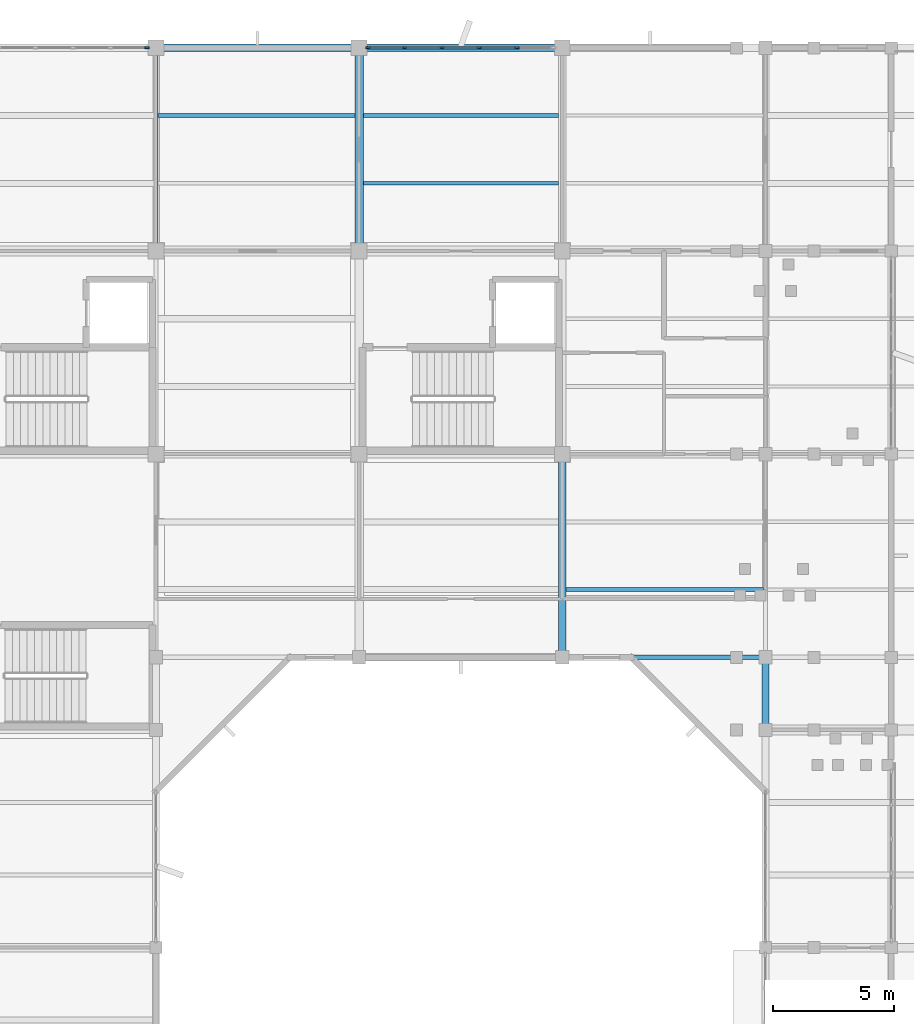
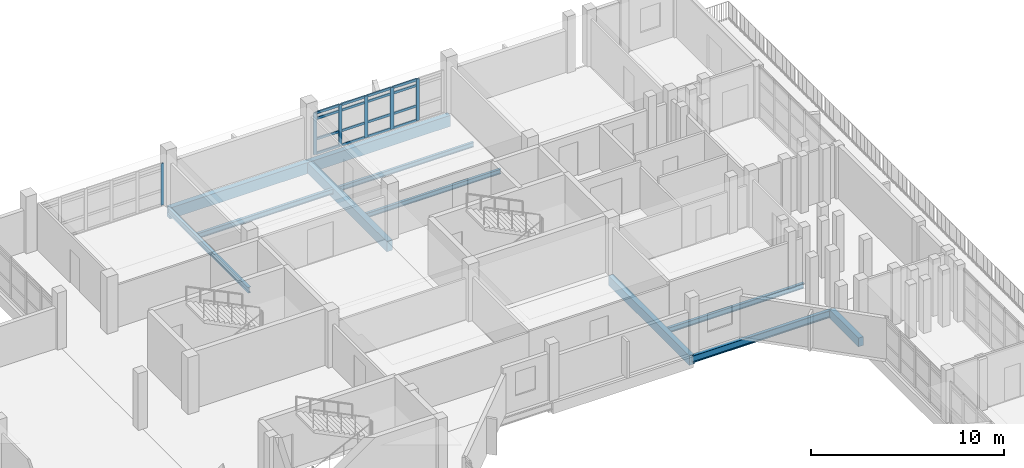
# One storey, part 21 of 51: 22 members, 11 beams, 2 elements without a shape of their own.
"""IFC4 building model written with IfcOpenShell, lengths in metres."""

from ifc_helpers import new_model, si_unit, direction, frame, origin, origin_2d, place, context, subcontext, project, spatial, rectangle, i_section, extrude, material, material_profile, profile_set, type_object, element, aggregate, save


model = new_model("IFC4")

# Units and contexts
model_context = context("Model", 3, precision=1e-05, world=origin(), true_north=direction((0.0, 1.0)))
body_context = subcontext(model_context, "Body", "Model", "MODEL_VIEW")
ifc_project = project(units=[si_unit("LENGTHUNIT", "METRE"), si_unit("AREAUNIT", "SQUARE_METRE"), si_unit("VOLUMEUNIT", "CUBIC_METRE"), si_unit("PLANEANGLEUNIT", "RADIAN"), si_unit("MASSUNIT", "GRAM", prefix="KILO")], contexts=[model_context])

# Site, building, storey
site_placement = place(None, origin())
site = spatial("IfcSite", under=ifc_project, at=site_placement, CompositionType="ELEMENT")
building_placement = place(site_placement, origin())
building = spatial("IfcBuilding", under=site, at=building_placement, Name="Vanh Quang Courtyard School", CompositionType="ELEMENT")
storey_placement = place(building_placement, frame((0.0, 0.0, 11.39990234375)))
storey = spatial("IfcBuildingStorey", under=building, at=storey_placement, Name="L03", CompositionType="ELEMENT", Elevation=11.39990234375)

# Beams
ifc_material_1 = material(Name="Concrete C35/45", Category="concrete")
ifc_material_profile_1 = material_profile(ifc_material_1, rectangle(XDim=0.300048828125, YDim=0.550048828125, at=origin_2d()), Name="RC-BM 300x550")
ifc_profile_set_1 = profile_set([ifc_material_profile_1], Name="Concrete C35/45")
beam_type_1 = type_object("IfcBeamType", Name="BM-RC-300x550", PredefinedType="BEAM", material=ifc_profile_set_1)
beam_1_placement = place(storey_placement, frame((111.0, 68.39990234375, -0.534912109375), z_axis=(0.0, 1.0, 0.0), x_axis=(-1.0, 0.0, 0.0)))
element("IfcBeam", 1, at=beam_1_placement, inside=storey, type_object=beam_type_1, Name="Beam B-07 (L03)", PredefinedType="BEAM", context=body_context, shape_type="SweptSolid", body=[
    extrude(rectangle(XDim=0.300048828125, YDim=0.550048828125, at=origin_2d()), origin(), (0.0, 0.0, 1.0), 3.0),
])
ifc_material_profile_2 = material_profile(ifc_material_1, rectangle(XDim=0.300048828125, YDim=0.60009765625, at=origin_2d()), Name="RC-BM 300x600")
ifc_profile_set_2 = profile_set([ifc_material_profile_2], Name="Concrete C35/45")
beam_type_2 = type_object("IfcBeamType", Name="BM-RC-300x600", PredefinedType="BEAM", material=ifc_profile_set_2)
beam_2_placement = place(storey_placement, frame((102.60009765625, 71.39990234375, -0.559814453125), z_axis=(0.0, 1.0, 0.0), x_axis=(-1.0, 0.0, 0.0)))
element("IfcBeam", 2, at=beam_2_placement, inside=storey, type_object=beam_type_2, Name="Beam B-06 (L03)", PredefinedType="BEAM", context=body_context, shape_type="SweptSolid", body=[
    extrude(rectangle(XDim=0.300048828125, YDim=0.60009765625, at=origin_2d()), origin(), (0.0, 0.0, 1.0), 8.400146484375),
])
ifc_material_profile_3 = material_profile(ifc_material_1, rectangle(XDim=0.35009765625, YDim=0.64990234375, at=origin_2d()), Name="RC-BM 350x650")
ifc_profile_set_3 = profile_set([ifc_material_profile_3], Name="Concrete C35/45")
beam_type_3 = type_object("IfcBeamType", Name="BM-RC-350x650", PredefinedType="BEAM", material=ifc_profile_set_3)
beam_3_placement = place(storey_placement, frame((94.199951171875, 88.199951171875, -0.5849609375), z_axis=(0.0, 1.0, 0.0), x_axis=(-1.0, 0.0, 0.0)))
element("IfcBeam", 3, at=beam_3_placement, inside=storey, type_object=beam_type_3, Name="Beam B-05 (L03)", PredefinedType="BEAM", context=body_context, shape_type="SweptSolid", body=[
    extrude(rectangle(XDim=0.35009765625, YDim=0.64990234375, at=origin_2d()), origin(), (0.0, 0.0, 1.0), 8.400146484375),
])
ifc_material_profile_4 = material_profile(ifc_material_1, rectangle(XDim=0.300048828125, YDim=0.699951171875, at=origin_2d()), Name="RC-SP 300x700")
ifc_profile_set_4 = profile_set([ifc_material_profile_4], Name="Concrete C35/45")
beam_type_4 = type_object("IfcBeamType", Name="BM-SP-300x700", PredefinedType="SPANDREL", material=ifc_profile_set_4)
beam_4_placement = place(storey_placement, frame((85.800048828125, 96.60009765625, -0.60986328125), z_axis=(1.0, 0.0, 0.0), x_axis=(0.0, 1.0, 0.0)))
element("IfcBeam", 4, at=beam_4_placement, inside=storey, type_object=beam_type_4, Name="Beam BS-01 (L03)", PredefinedType="SPANDREL", context=body_context, shape_type="SweptSolid", body=[
    extrude(rectangle(XDim=0.300048828125, YDim=0.699951171875, at=origin_2d()), origin(), (0.0, 0.0, 1.0), 8.39990234375),
])
beam_5_placement = place(storey_placement, frame((94.199951171875, 96.60009765625, -0.60986328125), z_axis=(1.0, 0.0, 0.0), x_axis=(0.0, 1.0, 0.0)))
element("IfcBeam", 5, at=beam_5_placement, inside=storey, type_object=beam_type_4, Name="Beam BS-01 (L03)", PredefinedType="SPANDREL", context=body_context, shape_type="SweptSolid", body=[
    extrude(rectangle(XDim=0.300048828125, YDim=0.699951171875, at=origin_2d()), origin(), (0.0, 0.0, 1.0), 8.400146484375),
])
ifc_material_2 = material(Name="Structural steel EN 10025-2 S355J2", Category="steel")
ifc_material_profile_5 = material_profile(ifc_material_2, i_section(OverallWidth=0.169921875, OverallDepth=0.360107421875, WebThickness=0.008056640625, FlangeThickness=0.0126953125, FilletRadius=0.01806640625, at=origin_2d()), Name="IPE 360")
ifc_profile_set_5 = profile_set([ifc_material_profile_5], Name="Structural steel EN 10025-2 S355J2")
beam_type_5 = type_object("IfcBeamType", Name="BM-STL-IPE360", PredefinedType="BEAM", material=ifc_profile_set_5)
beam_6_placement = place(storey_placement, frame((85.800048828125, 88.199951171875, -0.43994140625), z_axis=(0.0, 1.0, 0.0), x_axis=(-1.0, 0.0, 0.0)))
element("IfcBeam", 6, at=beam_6_placement, inside=storey, type_object=beam_type_5, Name="Beam SB-06 (L03)", PredefinedType="BEAM", context=body_context, shape_type="SweptSolid", body=[
    extrude(i_section(OverallWidth=0.169921875, OverallDepth=0.360107421875, WebThickness=0.008056640625, FlangeThickness=0.0126953125, FilletRadius=0.01806640625, at=origin_2d()), origin(), (0.0, 0.0, 1.0), 8.400146484375),
])
ifc_material_profile_6 = material_profile(ifc_material_2, i_section(OverallWidth=0.18994140625, OverallDepth=0.449951171875, WebThickness=0.009521484375, FlangeThickness=0.0146484375, FilletRadius=0.02099609375, at=origin_2d()), Name="IPE 450")
ifc_profile_set_6 = profile_set([ifc_material_profile_6], Name="Structural steel EN 10025-2 S355J2")
beam_type_6 = type_object("IfcBeamType", Name="BM-STL-IPE450", PredefinedType="BEAM", material=ifc_profile_set_6)
beam_7_placement = place(storey_placement, frame((102.60009765625, 71.39990234375, -0.48486328125), z_axis=(1.0, 0.0, 0.0), x_axis=(0.0, 1.0, 0.0)))
element("IfcBeam", 7, at=beam_7_placement, inside=storey, type_object=beam_type_6, Name="Beam SB-04 (L03)", PredefinedType="BEAM", context=body_context, shape_type="SweptSolid", body=[
    extrude(i_section(OverallWidth=0.18994140625, OverallDepth=0.449951171875, WebThickness=0.009521484375, FlangeThickness=0.0146484375, FilletRadius=0.02099609375, at=origin_2d()), origin(), (0.0, 0.0, 1.0), 8.39990234375),
])

# Curtain wall, member
ifc_material_3 = material(Name="Thermally broken aluminium unitised curtain wall", Category="aluminium")
curtain_wall_type = type_object("IfcCurtainWallType", Name="CW-SYS-21", PredefinedType="NOTDEFINED", material=ifc_material_3)
curtain_wall_1_placement = place(storey_placement, origin())
curtain_wall_1 = element("IfcCurtainWall", 8, at=curtain_wall_1_placement, inside=storey, type_object=curtain_wall_type, Name="Curtain Wall CW-21 (L03)", PredefinedType="NOTDEFINED")
ifc_material_4 = material(Name="Anodised aluminium 6063-T6", Category="aluminium")
ifc_material_profile_7 = material_profile(ifc_material_4, rectangle(XDim=0.070068359375, YDim=0.179931640625, at=origin_2d()), Name="ALU-MUL 70x180")
ifc_profile_set_7 = profile_set([ifc_material_profile_7], Name="Anodised aluminium 6063-T6")
member_type_1 = type_object("IfcMemberType", Name="CW-MUL-70x180", PredefinedType="MULLION", material=ifc_profile_set_7)
member_1_placement = place(storey_placement, frame((85.431884765625, 96.60009765625, 0.0), z_axis=(0.0, 0.0, 1.0), x_axis=(0.0, 1.0, 0.0)))
member_1 = element("IfcMember", 9, at=member_1_placement, type_object=member_type_1, Name="CW-21 mullion 6", PredefinedType="MULLION", context=body_context, shape_type="SweptSolid", body=[
    extrude(rectangle(XDim=0.070068359375, YDim=0.179931640625, at=origin_2d()), origin(), (0.0, 0.0, 1.0), 2.64013671875),
])
aggregate(curtain_wall_1, [member_1])

# Curtain wall, members
curtain_wall_2_placement = place(storey_placement, origin())
curtain_wall_2 = element("IfcCurtainWall", 10, at=curtain_wall_2_placement, inside=storey, type_object=curtain_wall_type, Name="Curtain Wall CW-21 (L03)", PredefinedType="NOTDEFINED")
ifc_material_profile_8 = material_profile(ifc_material_4, rectangle(XDim=0.080078125, YDim=0.199951171875, at=origin_2d()), Name="ALU-MUL 80x200")
ifc_profile_set_8 = profile_set([ifc_material_profile_8], Name="Anodised aluminium 6063-T6")
member_type_2 = type_object("IfcMemberType", Name="CW-MUL-80x200", PredefinedType="MULLION", material=ifc_profile_set_8)
member_2_placement = place(storey_placement, frame((94.572998046875, 96.60009765625, 0.0), z_axis=(0.0, 0.0, 1.0), x_axis=(0.0, 1.0, 0.0)))
member_2 = element("IfcMember", 11, at=member_2_placement, type_object=member_type_2, Name="CW-21 mullion 1", PredefinedType="MULLION", context=body_context, shape_type="SweptSolid", body=[
    extrude(rectangle(XDim=0.080078125, YDim=0.199951171875, at=origin_2d()), origin(), (0.0, 0.0, 1.0), 2.64013671875),
])
member_3_placement = place(storey_placement, frame((96.079833984375, 96.60009765625, 0.0), z_axis=(0.0, 0.0, 1.0), x_axis=(0.0, 1.0, 0.0)))
member_3 = element("IfcMember", 12, at=member_3_placement, type_object=member_type_2, Name="CW-21 mullion 2", PredefinedType="MULLION", context=body_context, shape_type="SweptSolid", body=[
    extrude(rectangle(XDim=0.080078125, YDim=0.199951171875, at=origin_2d()), origin(), (0.0, 0.0, 1.0), 2.64013671875),
])
member_4_placement = place(storey_placement, frame((97.626708984375, 96.60009765625, 0.0), z_axis=(0.0, 0.0, 1.0), x_axis=(0.0, 1.0, 0.0)))
member_4 = element("IfcMember", 13, at=member_4_placement, type_object=member_type_2, Name="CW-21 mullion 3", PredefinedType="MULLION", context=body_context, shape_type="SweptSolid", body=[
    extrude(rectangle(XDim=0.080078125, YDim=0.199951171875, at=origin_2d()), origin(), (0.0, 0.0, 1.0), 2.64013671875),
])
member_5_placement = place(storey_placement, frame((99.17333984375, 96.60009765625, 0.0), z_axis=(0.0, 0.0, 1.0), x_axis=(0.0, 1.0, 0.0)))
member_5 = element("IfcMember", 14, at=member_5_placement, type_object=member_type_2, Name="CW-21 mullion 4", PredefinedType="MULLION", context=body_context, shape_type="SweptSolid", body=[
    extrude(rectangle(XDim=0.080078125, YDim=0.199951171875, at=origin_2d()), origin(), (0.0, 0.0, 1.0), 2.64013671875),
])
member_6_placement = place(storey_placement, frame((100.72021484375, 96.60009765625, 0.0), z_axis=(0.0, 0.0, 1.0), x_axis=(0.0, 1.0, 0.0)))
member_6 = element("IfcMember", 15, at=member_6_placement, type_object=member_type_2, Name="CW-21 mullion 5", PredefinedType="MULLION", context=body_context, shape_type="SweptSolid", body=[
    extrude(rectangle(XDim=0.080078125, YDim=0.199951171875, at=origin_2d()), origin(), (0.0, 0.0, 1.0), 2.64013671875),
])
ifc_material_profile_9 = material_profile(ifc_material_4, rectangle(XDim=0.080078125, YDim=0.14990234375, at=origin_2d()), Name="ALU-TRN 80x150")
ifc_profile_set_9 = profile_set([ifc_material_profile_9], Name="Anodised aluminium 6063-T6")
member_type_3 = type_object("IfcMemberType", Name="CW-TRN-80x150", PredefinedType="USERDEFINED", material=ifc_profile_set_9)
member_7_placement = place(storey_placement, frame((94.613037109375, 96.60009765625, 0.0400390625), z_axis=(1.0, 0.0, 0.0), x_axis=(0.0, 1.0, 0.0)))
member_7 = element("IfcMember", 16, at=member_7_placement, type_object=member_type_3, Name="CW-21 transom 1.1", ObjectType="TRANSOM", PredefinedType="USERDEFINED", context=body_context, shape_type="SweptSolid", body=[
    extrude(rectangle(XDim=0.080078125, YDim=0.14990234375, at=origin_2d()), origin(), (0.0, 0.0, 1.0), 1.4267578125),
])
member_8_placement = place(storey_placement, frame((94.613037109375, 96.60009765625, 0.9501953125), z_axis=(1.0, 0.0, 0.0), x_axis=(0.0, 1.0, 0.0)))
member_8 = element("IfcMember", 17, at=member_8_placement, type_object=member_type_3, Name="CW-21 transom 1.2", ObjectType="TRANSOM", PredefinedType="USERDEFINED", context=body_context, shape_type="SweptSolid", body=[
    extrude(rectangle(XDim=0.080078125, YDim=0.14990234375, at=origin_2d()), origin(), (0.0, 0.0, 1.0), 1.4267578125),
])
member_9_placement = place(storey_placement, frame((94.613037109375, 96.60009765625, 2.25), z_axis=(1.0, 0.0, 0.0), x_axis=(0.0, 1.0, 0.0)))
member_9 = element("IfcMember", 18, at=member_9_placement, type_object=member_type_3, Name="CW-21 transom 1.3", ObjectType="TRANSOM", PredefinedType="USERDEFINED", context=body_context, shape_type="SweptSolid", body=[
    extrude(rectangle(XDim=0.080078125, YDim=0.14990234375, at=origin_2d()), origin(), (0.0, 0.0, 1.0), 1.4267578125),
])
member_10_placement = place(storey_placement, frame((94.613037109375, 96.60009765625, 2.60009765625), z_axis=(1.0, 0.0, 0.0), x_axis=(0.0, 1.0, 0.0)))
member_10 = element("IfcMember", 19, at=member_10_placement, type_object=member_type_3, Name="CW-21 transom 1.4", ObjectType="TRANSOM", PredefinedType="USERDEFINED", context=body_context, shape_type="SweptSolid", body=[
    extrude(rectangle(XDim=0.080078125, YDim=0.14990234375, at=origin_2d()), origin(), (0.0, 0.0, 1.0), 1.4267578125),
])
member_11_placement = place(storey_placement, frame((96.119873046875, 96.60009765625, 0.0400390625), z_axis=(1.0, 0.0, 0.0), x_axis=(0.0, 1.0, 0.0)))
member_11 = element("IfcMember", 20, at=member_11_placement, type_object=member_type_3, Name="CW-21 transom 2.1", ObjectType="TRANSOM", PredefinedType="USERDEFINED", context=body_context, shape_type="SweptSolid", body=[
    extrude(rectangle(XDim=0.080078125, YDim=0.14990234375, at=origin_2d()), origin(), (0.0, 0.0, 1.0), 1.466796875),
])
member_12_placement = place(storey_placement, frame((96.119873046875, 96.60009765625, 0.9501953125), z_axis=(1.0, 0.0, 0.0), x_axis=(0.0, 1.0, 0.0)))
member_12 = element("IfcMember", 21, at=member_12_placement, type_object=member_type_3, Name="CW-21 transom 2.2", ObjectType="TRANSOM", PredefinedType="USERDEFINED", context=body_context, shape_type="SweptSolid", body=[
    extrude(rectangle(XDim=0.080078125, YDim=0.14990234375, at=origin_2d()), origin(), (0.0, 0.0, 1.0), 1.466796875),
])
member_13_placement = place(storey_placement, frame((96.119873046875, 96.60009765625, 2.25), z_axis=(1.0, 0.0, 0.0), x_axis=(0.0, 1.0, 0.0)))
member_13 = element("IfcMember", 22, at=member_13_placement, type_object=member_type_3, Name="CW-21 transom 2.3", ObjectType="TRANSOM", PredefinedType="USERDEFINED", context=body_context, shape_type="SweptSolid", body=[
    extrude(rectangle(XDim=0.080078125, YDim=0.14990234375, at=origin_2d()), origin(), (0.0, 0.0, 1.0), 1.466796875),
])
member_14_placement = place(storey_placement, frame((96.119873046875, 96.60009765625, 2.60009765625), z_axis=(1.0, 0.0, 0.0), x_axis=(0.0, 1.0, 0.0)))
member_14 = element("IfcMember", 23, at=member_14_placement, type_object=member_type_3, Name="CW-21 transom 2.4", ObjectType="TRANSOM", PredefinedType="USERDEFINED", context=body_context, shape_type="SweptSolid", body=[
    extrude(rectangle(XDim=0.080078125, YDim=0.14990234375, at=origin_2d()), origin(), (0.0, 0.0, 1.0), 1.466796875),
])
member_15_placement = place(storey_placement, frame((97.66650390625, 96.60009765625, 0.0400390625), z_axis=(1.0, 0.0, 0.0), x_axis=(0.0, 1.0, 0.0)))
member_15 = element("IfcMember", 24, at=member_15_placement, type_object=member_type_3, Name="CW-21 transom 3.1", ObjectType="TRANSOM", PredefinedType="USERDEFINED", context=body_context, shape_type="SweptSolid", body=[
    extrude(rectangle(XDim=0.080078125, YDim=0.14990234375, at=origin_2d()), origin(), (0.0, 0.0, 1.0), 1.466796875),
])
member_16_placement = place(storey_placement, frame((97.66650390625, 96.60009765625, 0.9501953125), z_axis=(1.0, 0.0, 0.0), x_axis=(0.0, 1.0, 0.0)))
member_16 = element("IfcMember", 25, at=member_16_placement, type_object=member_type_3, Name="CW-21 transom 3.2", ObjectType="TRANSOM", PredefinedType="USERDEFINED", context=body_context, shape_type="SweptSolid", body=[
    extrude(rectangle(XDim=0.080078125, YDim=0.14990234375, at=origin_2d()), origin(), (0.0, 0.0, 1.0), 1.466796875),
])
member_17_placement = place(storey_placement, frame((97.66650390625, 96.60009765625, 2.25), z_axis=(1.0, 0.0, 0.0), x_axis=(0.0, 1.0, 0.0)))
member_17 = element("IfcMember", 26, at=member_17_placement, type_object=member_type_3, Name="CW-21 transom 3.3", ObjectType="TRANSOM", PredefinedType="USERDEFINED", context=body_context, shape_type="SweptSolid", body=[
    extrude(rectangle(XDim=0.080078125, YDim=0.14990234375, at=origin_2d()), origin(), (0.0, 0.0, 1.0), 1.466796875),
])
member_18_placement = place(storey_placement, frame((97.66650390625, 96.60009765625, 2.60009765625), z_axis=(1.0, 0.0, 0.0), x_axis=(0.0, 1.0, 0.0)))
member_18 = element("IfcMember", 27, at=member_18_placement, type_object=member_type_3, Name="CW-21 transom 3.4", ObjectType="TRANSOM", PredefinedType="USERDEFINED", context=body_context, shape_type="SweptSolid", body=[
    extrude(rectangle(XDim=0.080078125, YDim=0.14990234375, at=origin_2d()), origin(), (0.0, 0.0, 1.0), 1.466796875),
])
member_19_placement = place(storey_placement, frame((99.21337890625, 96.60009765625, 0.0400390625), z_axis=(1.0, 0.0, 0.0), x_axis=(0.0, 1.0, 0.0)))
member_19 = element("IfcMember", 28, at=member_19_placement, type_object=member_type_3, Name="CW-21 transom 4.1", ObjectType="TRANSOM", PredefinedType="USERDEFINED", context=body_context, shape_type="SweptSolid", body=[
    extrude(rectangle(XDim=0.080078125, YDim=0.14990234375, at=origin_2d()), origin(), (0.0, 0.0, 1.0), 1.466796875),
])
member_20_placement = place(storey_placement, frame((99.21337890625, 96.60009765625, 0.9501953125), z_axis=(1.0, 0.0, 0.0), x_axis=(0.0, 1.0, 0.0)))
member_20 = element("IfcMember", 29, at=member_20_placement, type_object=member_type_3, Name="CW-21 transom 4.2", ObjectType="TRANSOM", PredefinedType="USERDEFINED", context=body_context, shape_type="SweptSolid", body=[
    extrude(rectangle(XDim=0.080078125, YDim=0.14990234375, at=origin_2d()), origin(), (0.0, 0.0, 1.0), 1.466796875),
])
member_21_placement = place(storey_placement, frame((99.21337890625, 96.60009765625, 2.25), z_axis=(1.0, 0.0, 0.0), x_axis=(0.0, 1.0, 0.0)))
member_21 = element("IfcMember", 30, at=member_21_placement, type_object=member_type_3, Name="CW-21 transom 4.3", ObjectType="TRANSOM", PredefinedType="USERDEFINED", context=body_context, shape_type="SweptSolid", body=[
    extrude(rectangle(XDim=0.080078125, YDim=0.14990234375, at=origin_2d()), origin(), (0.0, 0.0, 1.0), 1.466796875),
])
member_22_placement = place(storey_placement, frame((99.21337890625, 96.60009765625, 2.60009765625), z_axis=(1.0, 0.0, 0.0), x_axis=(0.0, 1.0, 0.0)))
member_22 = element("IfcMember", 31, at=member_22_placement, type_object=member_type_3, Name="CW-21 transom 4.4", ObjectType="TRANSOM", PredefinedType="USERDEFINED", context=body_context, shape_type="SweptSolid", body=[
    extrude(rectangle(XDim=0.080078125, YDim=0.14990234375, at=origin_2d()), origin(), (0.0, 0.0, 1.0), 1.466796875),
])
aggregate(curtain_wall_2, [member_2, member_3, member_4, member_5, member_6, member_7, member_8, member_9, member_10, member_11, member_12, member_13, member_14, member_15, member_16, member_17, member_18, member_19, member_20, member_21, member_22])

# Beams
ifc_material_profile_10 = material_profile(ifc_material_2, i_section(OverallWidth=0.14990234375, OverallDepth=0.300048828125, WebThickness=0.007080078125, FlangeThickness=0.0107421875, FilletRadius=0.014892578125, at=origin_2d()), Name="IPE 300")
ifc_profile_set_10 = profile_set([ifc_material_profile_10], Name="Structural steel EN 10025-2 S355J2")
beam_type_7 = type_object("IfcBeamType", Name="JST-STL-IPE300", PredefinedType="JOIST", material=ifc_profile_set_10)
for number, where, z_axis, x_axis, name in (
    (32, (94.375, 91.0, -0.409912109375), (1.0, 0.0, 0.0), (0.0, 1.0, 0.0), "Beam SJ-02 (L03)"),
    (33, (94.375, 93.800048828125, -0.409912109375), (1.0, 0.0, 0.0), (0.0, 1.0, 0.0), "Beam SJ-02 (L03)"),
):
    element("IfcBeam", number, at=place(storey_placement, frame(where, z_axis=z_axis, x_axis=x_axis)), inside=storey, type_object=beam_type_7, Name=name, PredefinedType="JOIST", context=body_context, shape_type="SweptSolid", body=[
        extrude(i_section(OverallWidth=0.14990234375, OverallDepth=0.300048828125, WebThickness=0.007080078125, FlangeThickness=0.0107421875, FilletRadius=0.014892578125, at=origin_2d()), origin(), (0.0, 0.0, 1.0), 8.074951171875),
    ])
ifc_material_profile_11 = material_profile(ifc_material_2, i_section(OverallWidth=0.159912109375, OverallDepth=0.330078125, WebThickness=0.007568359375, FlangeThickness=0.011474609375, FilletRadius=0.01806640625, at=origin_2d()), Name="IPE 330")
ifc_profile_set_11 = profile_set([ifc_material_profile_11], Name="Structural steel EN 10025-2 S355J2")
beam_type_8 = type_object("IfcBeamType", Name="JST-STL-IPE330", PredefinedType="JOIST", material=ifc_profile_set_11)
beam_8_placement = place(storey_placement, frame((85.885009765625, 93.800048828125, -0.4248046875), z_axis=(1.0, 0.0, 0.0), x_axis=(0.0, 1.0, 0.0)))
element("IfcBeam", 34, at=beam_8_placement, inside=storey, type_object=beam_type_8, Name="Beam SJ-01 (L03)", PredefinedType="JOIST", context=body_context, shape_type="SweptSolid", body=[
    extrude(i_section(OverallWidth=0.159912109375, OverallDepth=0.330078125, WebThickness=0.007568359375, FlangeThickness=0.011474609375, FilletRadius=0.01806640625, at=origin_2d()), origin(), (0.0, 0.0, 1.0), 8.139892578125),
])
beam_9_placement = place(storey_placement, frame((102.75, 74.199951171875, -0.4248046875), z_axis=(1.0, 0.0, 0.0), x_axis=(0.0, 1.0, 0.0)))
element("IfcBeam", 35, at=beam_9_placement, inside=storey, type_object=beam_type_8, Name="Beam SJ-01 (L03)", PredefinedType="JOIST", context=body_context, shape_type="SweptSolid", body=[
    extrude(i_section(OverallWidth=0.159912109375, OverallDepth=0.330078125, WebThickness=0.007568359375, FlangeThickness=0.011474609375, FilletRadius=0.01806640625, at=origin_2d()), origin(), (0.0, 0.0, 1.0), 8.159912109375),
])

save(model, "model.ifc")
